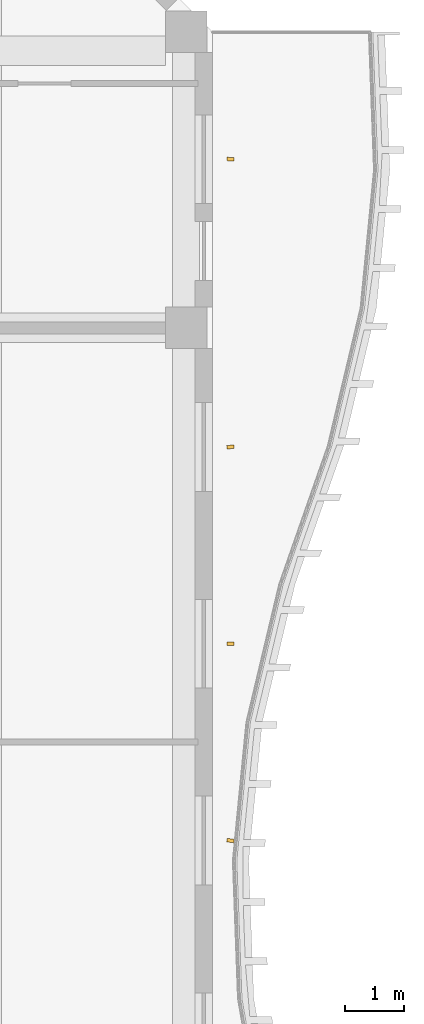
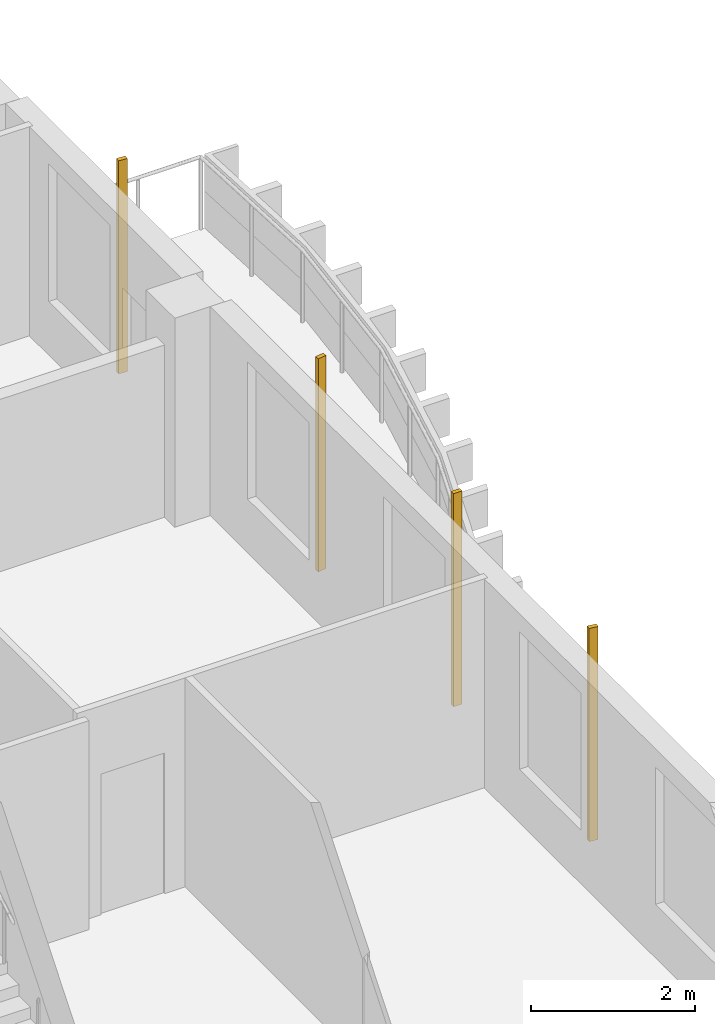
# One storey, part 19 of 19: 4 shading devices.
"""IFC4 building model written with IfcOpenShell, lengths in metres."""

from ifc_helpers import new_model, si_unit, direction, frame, origin, origin_2d, place, context, subcontext, project, spatial, rectangle, extrude, source, transform, mapped, material, material_profile, profile_set, type_object, element, save


model = new_model("IFC4")

# Units and contexts
model_context = context("Model", 3, precision=1e-05, world=origin(), true_north=direction((0.0, 1.0)))
body_context = subcontext(model_context, "Body", "Model", "MODEL_VIEW")
ifc_project = project(units=[si_unit("LENGTHUNIT", "METRE"), si_unit("AREAUNIT", "SQUARE_METRE"), si_unit("VOLUMEUNIT", "CUBIC_METRE"), si_unit("PLANEANGLEUNIT", "RADIAN"), si_unit("MASSUNIT", "GRAM", prefix="KILO")], contexts=[model_context])

# Site, building, storey
site_placement = place(None, origin())
site = spatial("IfcSite", under=ifc_project, at=site_placement, CompositionType="ELEMENT")
building_placement = place(site_placement, origin())
building = spatial("IfcBuilding", under=site, at=building_placement, Name="Kilnfold Tower and Market Hall", CompositionType="ELEMENT")
storey_placement = place(building_placement, frame((0.0, 0.0, 242.39990234375)))
storey = spatial("IfcBuildingStorey", under=building, at=storey_placement, Name="L58", CompositionType="ELEMENT", Elevation=242.39990234375)

# Shading devices
ifc_material = material(Name="Terracotta", Category="masonry")
ifc_material_profile = material_profile(ifc_material, rectangle(XDim=0.06005859375, YDim=0.1201171875, at=origin_2d()), Name="BAG 60x120")
ifc_profile_set = profile_set([ifc_material_profile], Name="Terracotta")
shading_device_type = type_object("IfcShadingDeviceType", Name="BAGUETTE", PredefinedType="USERDEFINED", material=ifc_profile_set)
shared_shape = source(origin(), body_context, "Body", "SweptSolid", [
    extrude(rectangle(XDim=0.06005859375, YDim=0.1201171875, at=origin_2d()), origin(), (0.0, 0.0, 1.0), 3.18017578125),
])
for number, where, z_axis, x_axis, name in (
    (1, (29.800048828125, 13.33740234375, 0.0), (0.0, 0.0, 1.0), (0.139012363151, 0.990290645665, 0.0), "Terracotta baguette L58 E"),
    (2, (29.800048828125, 16.66259765625, 0.0), (0.0, 0.0, 1.0), (0.004244627995, 0.999990991526, 0.0), "Terracotta baguette L58 E"),
    (3, (29.800048828125, 19.987548828125, 0.0), (0.0, 0.0, 1.0), (-0.138353818454, 0.990382865825, 0.0), "Terracotta baguette L58 E"),
    (4, (29.800048828125, 24.85009765625, 0.0), (0.0, 0.0, 1.0), (0.06720034549, 0.997739501857, 0.0), "Terracotta baguette L58 E"),
):
    element("IfcShadingDevice", number, at=place(storey_placement, frame(where, z_axis=z_axis, x_axis=x_axis)), inside=storey, type_object=shading_device_type, Name=name, ObjectType="BAGUETTE", PredefinedType="USERDEFINED", context=body_context, shape_type="MappedRepresentation", body=[
        mapped(shared_shape, transform((0.0, 0.0, 0.0))),
    ])

save(model, "model.ifc")
